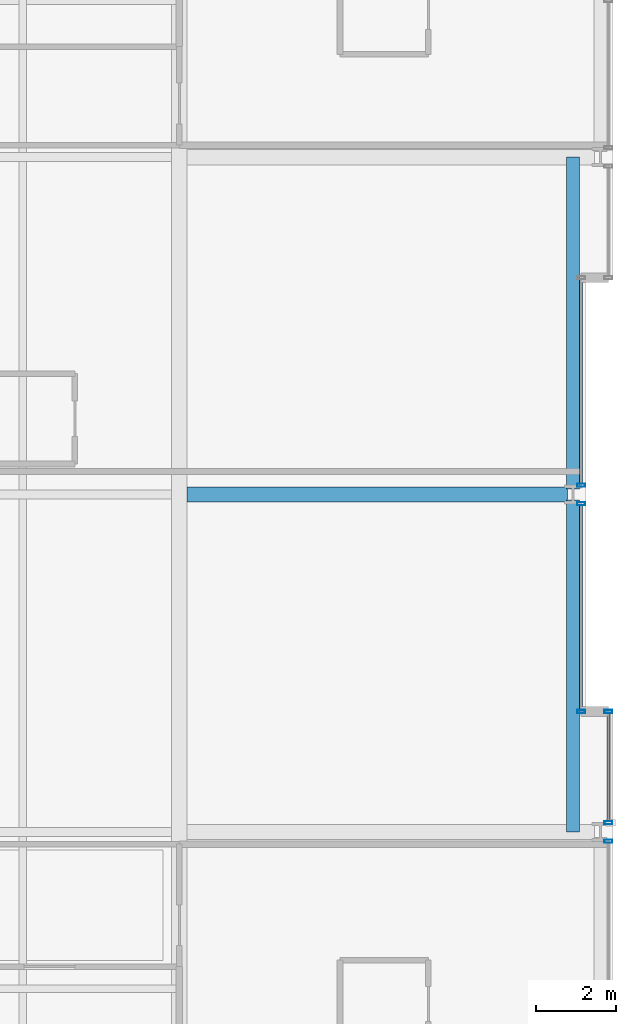
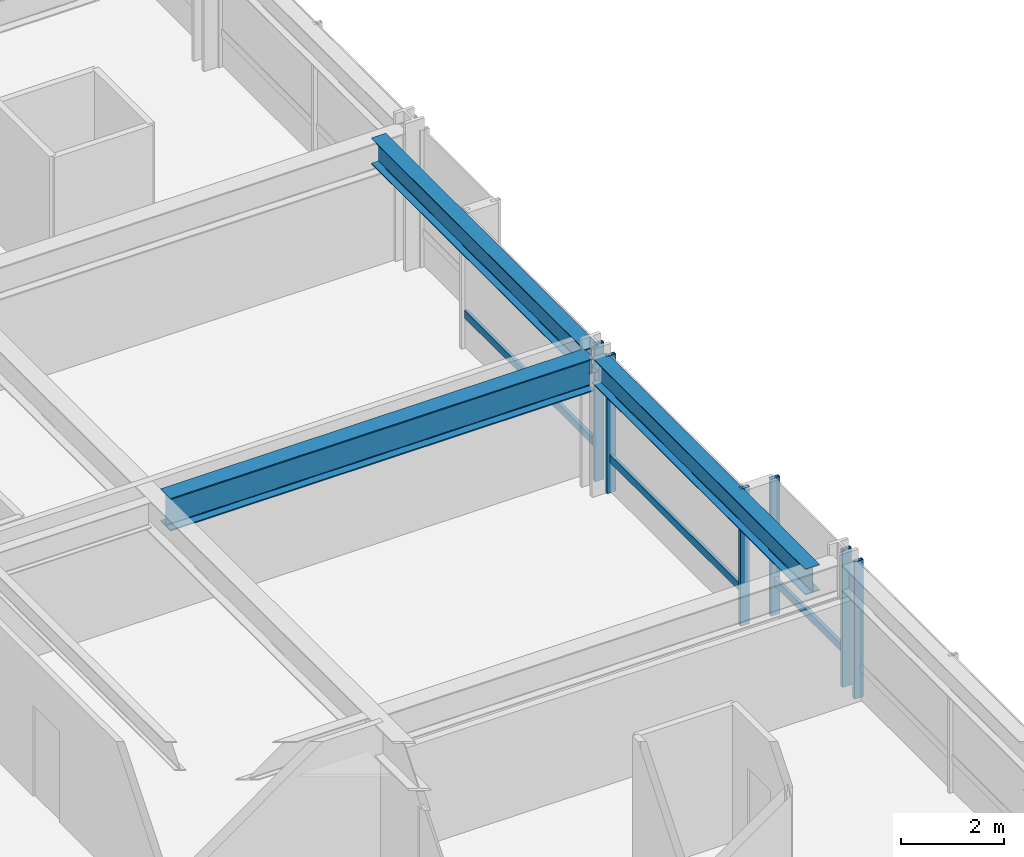
# One storey, part 16 of 37: 9 members, 3 beams, 4 elements without a shape of their own.
"""IFC4 building model written with IfcOpenShell, lengths in metres."""

import ifcopenshell
import ifcopenshell.guid

model = None  # the IFC model being written
_history = None  # IfcOwnerHistory: only IFC2X3 demands one
_inside = {}  # id of a spatial element -> (the spatial element, [elements in it])
_under = {}  # id of a project, library or spatial element -> (it, [spatial elements below it])
_declared = {}  # id of a project -> (the project, [libraries it declares])
_typed = {}  # id of a type object -> (the type object, [elements of that type])
_made_of = {}  # id of a material, layer set ... -> (it, [elements and type objects made of it])


def new_model(schema):
    """Start an empty IFC model of exactly this schema.

    Asked for "IFC4X3", IfcOpenShell would pick the latest addendum, in which some entities
    have other attributes; the version numbers below select the first issue.
    IFC2X3 requires an IfcOwnerHistory on every rooted entity: one is made here for all.
    """
    global model, _history
    if schema == "IFC4X3":
        model = ifcopenshell.file(schema_version=(4, 3, 0, 0))
    else:
        model = ifcopenshell.file(schema=schema)
    _inside.clear()
    _under.clear()
    _declared.clear()
    _typed.clear()
    _made_of.clear()
    _history = None
    if model.schema == "IFC2X3":
        org = make("IfcOrganization", Name="unknown")
        user = make(
            "IfcPersonAndOrganization",
            ThePerson=make("IfcPerson", FamilyName="unknown"),
            TheOrganization=org,
        )
        app = make(
            "IfcApplication",
            ApplicationDeveloper=org,
            Version="unknown",
            ApplicationFullName="unknown",
            ApplicationIdentifier="unknown",
        )
        _history = make(
            "IfcOwnerHistory",
            OwningUser=user,
            OwningApplication=app,
            ChangeAction="ADDED",
            CreationDate=0,
        )
    return model


def make(cls, **values):
    """One entity of the class cls with the attributes given. An attribute that is None is left unset."""
    return model.create_entity(
        cls, **{name: value for name, value in values.items() if value is not None}
    )


def rooted(cls, **values):
    """An entity with a GlobalId (a new one), such as an element, a storey or a relation."""
    return make(cls, GlobalId=ifcopenshell.guid.new(), OwnerHistory=_history, **values)


def si_unit(unit_type, name, prefix=None):
    """IfcSIUnit, for example si_unit("LENGTHUNIT", "METRE", prefix="MILLI")."""
    return make("IfcSIUnit", UnitType=unit_type, Prefix=prefix, Name=name)


def assignment(units):
    """IfcUnitAssignment: the units of a project."""
    return None if units is None else make("IfcUnitAssignment", Units=units)


def point(xyz):
    """IfcCartesianPoint."""
    return None if xyz is None else make("IfcCartesianPoint", Coordinates=xyz)


def direction(xyz):
    """IfcDirection."""
    return None if xyz is None else make("IfcDirection", DirectionRatios=xyz)


def frame(location, z_axis=None, x_axis=None):
    """IfcAxis2Placement3D, a coordinate frame: its origin and axes. An axis left out is left unset."""
    return make(
        "IfcAxis2Placement3D",
        Location=point(location),
        Axis=direction(z_axis),
        RefDirection=direction(x_axis),
    )


def frame_2d(location, x_axis=None):
    """IfcAxis2Placement2D, a coordinate frame in the plane: its origin and x axis."""
    return make(
        "IfcAxis2Placement2D", Location=point(location), RefDirection=direction(x_axis)
    )


def origin():
    """The frame at (0, 0, 0) with its axes left unset."""
    return frame((0.0, 0.0, 0.0))


def origin_2d():
    """The frame at (0, 0) in the plane with its x axis left unset."""
    return frame_2d((0.0, 0.0))


def place(relative_to, where):
    """IfcLocalPlacement: puts the frame where relative to a parent placement (None: the world)."""
    return make(
        "IfcLocalPlacement", PlacementRelTo=relative_to, RelativePlacement=where
    )


def context(
    kind, dimensions, precision=None, world=None, true_north=None, identifier=None
):
    """IfcGeometricRepresentationContext, for example the 3D "Model" context."""
    return make(
        "IfcGeometricRepresentationContext",
        ContextIdentifier=identifier,
        ContextType=kind,
        CoordinateSpaceDimension=dimensions,
        Precision=precision,
        WorldCoordinateSystem=world,
        TrueNorth=true_north,
    )


def subcontext(parent, identifier, kind, view, scale=None):
    """IfcGeometricRepresentationSubContext, for example "Body" below "Model"."""
    return make(
        "IfcGeometricRepresentationSubContext",
        ContextIdentifier=identifier,
        ContextType=kind,
        ParentContext=parent,
        TargetScale=scale,
        TargetView=view,
    )


def project(units=None, contexts=None):
    """IfcProject with its units and contexts."""
    return rooted(
        "IfcProject",
        Name="project",
        RepresentationContexts=contexts,
        UnitsInContext=assignment(units),
    )


def spatial(cls, under=None, at=None, **own):
    """A site, building, storey or space (cls), placed at a placement, below another one or the project."""
    s = rooted(cls, ObjectPlacement=at, **own)
    if under is not None:
        _under.setdefault(under.id(), (under, []))[1].append(s)
    return s


def profile(cls, at=None, kind="AREA", **sizes):
    """A parametric profile (cls). Its sizes go by their IFC names, for example OverallWidth=200.0."""
    return make(cls, ProfileType=kind, Position=at, **sizes)


def hollow_rectangle(**sizes):
    """IfcRectangleHollowProfileDef."""
    return profile("IfcRectangleHollowProfileDef", **sizes)


def i_section(**sizes):
    """IfcIShapeProfileDef."""
    return profile("IfcIShapeProfileDef", **sizes)


def extrude(swept, where, along, depth):
    """IfcExtrudedAreaSolid: the profile swept, set in the frame where, extruded along a direction by depth."""
    return make(
        "IfcExtrudedAreaSolid",
        SweptArea=swept,
        Position=where,
        ExtrudedDirection=direction(along),
        Depth=depth,
    )


def shape(context_of_items, identifier, shape_type, items):
    """IfcShapeRepresentation: the items that make up one representation, for example the "Body"."""
    return make(
        "IfcShapeRepresentation",
        ContextOfItems=context_of_items,
        RepresentationIdentifier=identifier,
        RepresentationType=shape_type,
        Items=items,
    )


def material(Name=None, Category=None):
    """IfcMaterial."""
    return make("IfcMaterial", Name=Name, Category=Category)


def layer(
    of_material, thickness, ventilated=None, Name=None, Category=None, Priority=None
):
    """IfcMaterialLayer: one layer of a wall or slab, of a material (None: an air gap)."""
    return make(
        "IfcMaterialLayer",
        Material=of_material,
        LayerThickness=thickness,
        IsVentilated=ventilated,
        Name=Name,
        Category=Category,
        Priority=Priority,
    )


def layer_set(layers, Name=None):
    """IfcMaterialLayerSet."""
    return make("IfcMaterialLayerSet", MaterialLayers=layers, LayerSetName=Name)


def material_profile(
    of_material, cross_section, Name=None, Category=None, Priority=None
):
    """IfcMaterialProfile: a cross section and its material."""
    return make(
        "IfcMaterialProfile",
        Name=Name,
        Material=of_material,
        Profile=cross_section,
        Priority=Priority,
        Category=Category,
    )


def profile_set(profiles, Name=None, composite=None):
    """IfcMaterialProfileSet."""
    return make(
        "IfcMaterialProfileSet",
        Name=Name,
        MaterialProfiles=profiles,
        CompositeProfile=composite,
    )


def made_of(thing, what):
    """Note that an element or type object is made of a material, layer set ...; save() writes the relation."""
    if what is not None:
        _made_of.setdefault(what.id(), (what, []))[1].append(thing)
    return thing


def type_object(cls, material=None, **own):
    """A type object (cls), such as IfcWallType, which elements share."""
    return made_of(rooted(cls, **own), material)


def element(
    cls,
    number,
    at=None,
    inside=None,
    cuts=None,
    type_object=None,
    material=None,
    context=None,
    identifier="Body",
    shape_type=None,
    held_by="IfcProductDefinitionShape",
    body=None,
    shapes=None,
    **own,
):
    """One element of the class cls, such as IfcWall. Its Tag is "e" and its number.

    at: its placement. inside: the storey or other place that contains it. cuts: it is an
    opening in that element (IfcRelVoidsElement). A single representation is given by context,
    identifier, shape_type and body (its items); several are given by shapes. held_by: the class
    of the entity that holds the representations. save() writes the other relations.
    """
    e = rooted(cls, Tag="e%d" % number, ObjectPlacement=at, **own)
    if body is not None:
        shapes = [shape(context, identifier, shape_type, body)]
    if shapes is not None:
        e.Representation = make(held_by, Representations=shapes)
    if inside is not None:
        _inside.setdefault(inside.id(), (inside, []))[1].append(e)
    if cuts is not None:
        rooted(
            "IfcRelVoidsElement", RelatingBuildingElement=cuts, RelatedOpeningElement=e
        )
    if type_object is not None:
        _typed.setdefault(type_object.id(), (type_object, []))[1].append(e)
    return made_of(e, material)


def aggregate(whole, parts):
    """IfcRelAggregates: a whole, such as a stair, and the parts it consists of."""
    return rooted("IfcRelAggregates", RelatingObject=whole, RelatedObjects=parts)


def save(model, path):
    """Write the relations noted so far, then the file.

    IfcRelAggregates (storeys below a building ...), IfcRelContainedInSpatialStructure (elements
    in a storey), IfcRelDefinesByType, IfcRelAssociatesMaterial and IfcRelDeclares: one each for
    every whole, place, type object, material and project.
    """
    for whole, parts in _under.values():
        aggregate(whole, parts)
    for where, things in _inside.values():
        rooted(
            "IfcRelContainedInSpatialStructure",
            RelatedElements=things,
            RelatingStructure=where,
        )
    for kind, things in _typed.values():
        rooted("IfcRelDefinesByType", RelatedObjects=things, RelatingType=kind)
    for what, things in _made_of.values():
        rooted("IfcRelAssociatesMaterial", RelatedObjects=things, RelatingMaterial=what)
    for by, libraries in _declared.values():
        rooted("IfcRelDeclares", RelatingContext=by, RelatedDefinitions=libraries)
    model.write(path)


model = new_model("IFC4")

# Units and contexts
model_context = context("Model", 3, precision=1e-05, world=origin(), true_north=direction((0.0, 1.0)))
body_context = subcontext(model_context, "Body", "Model", "MODEL_VIEW")
ifc_project = project(units=[si_unit("LENGTHUNIT", "METRE"), si_unit("AREAUNIT", "SQUARE_METRE"), si_unit("VOLUMEUNIT", "CUBIC_METRE"), si_unit("PLANEANGLEUNIT", "RADIAN"), si_unit("MASSUNIT", "GRAM", prefix="KILO")], contexts=[model_context])

# Site, building, storey
site_placement = place(None, origin())
site = spatial("IfcSite", under=ifc_project, at=site_placement, CompositionType="ELEMENT")
building_placement = place(site_placement, origin())
building = spatial("IfcBuilding", under=site, at=building_placement, Name="Drelvath Grand Hotel", CompositionType="ELEMENT")
storey_placement = place(building_placement, frame((0.0, 0.0, 75.199951171875)))
storey = spatial("IfcBuildingStorey", under=building, at=storey_placement, Name="L18", CompositionType="ELEMENT", Elevation=75.199951171875)

# Curtain wall, member
ifc_material_1 = material(Name="Warm Bronze Anodised Aluminium Frame", Category="aluminium")
ifc_layer = layer(ifc_material_1, 0.199951171875)
ifc_layer_set = layer_set([ifc_layer], Name="Warm Bronze Anodised Aluminium Frame")
curtain_wall_type = type_object("IfcCurtainWallType", Name="Stick Curtain Wall CW-02 Warm Bronze Low-Rise", PredefinedType="NOTDEFINED", material=ifc_layer_set)
curtain_wall_1_placement = place(storey_placement, origin())
curtain_wall_1 = element("IfcCurtainWall", 1, at=curtain_wall_1_placement, inside=storey, type_object=curtain_wall_type, Name="L18 CW-02 Curtain Wall CW02-L18-EM1", PredefinedType="NOTDEFINED")
ifc_material_profile_1 = material_profile(ifc_material_1, hollow_rectangle(XDim=0.074951171875, YDim=0.179931640625, WallThickness=0.0048828125, at=origin_2d()), Name="HSS180X75X5")
ifc_profile_set_1 = profile_set([ifc_material_profile_1], Name="Warm Bronze Anodised Aluminium Frame")
member_type_1 = type_object("IfcMemberType", Name="Curtain Wall Horizontal Transom CW-02 HSS180X75X5", PredefinedType="USERDEFINED", material=ifc_profile_set_1)
member_1_placement = place(storey_placement, frame((26.199951171875, 26.73095703125, 0.81005859375), z_axis=(0.0, -1.0, 0.0), x_axis=(1.0, 0.0, 0.0)))
member_1 = element("IfcMember", 2, at=member_1_placement, type_object=member_type_1, Name="CW02-L18-EM1 Sill Transom", ObjectType="TRANSOM", PredefinedType="USERDEFINED", context=body_context, shape_type="SweptSolid", body=[
    extrude(hollow_rectangle(XDim=0.074951171875, YDim=0.179931640625, WallThickness=0.0048828125, at=origin_2d()), origin(), (0.0, 0.0, 1.0), 5.091064453125),
])

curtain_wall_2_placement = place(storey_placement, origin())
curtain_wall_2 = element("IfcCurtainWall", 3, at=curtain_wall_2_placement, inside=storey, type_object=curtain_wall_type, Name="L18 CW-02 Curtain Wall CW02-L18-EM2", PredefinedType="NOTDEFINED")
member_2_placement = place(storey_placement, frame((26.199951171875, 32.360107421875, 0.81005859375), z_axis=(0.0, -1.0, 0.0), x_axis=(1.0, 0.0, 0.0)))
member_2 = element("IfcMember", 4, at=member_2_placement, type_object=member_type_1, Name="CW02-L18-EM2 Sill Transom", ObjectType="TRANSOM", PredefinedType="USERDEFINED", context=body_context, shape_type="SweptSolid", body=[
    extrude(hollow_rectangle(XDim=0.074951171875, YDim=0.179931640625, WallThickness=0.0048828125, at=origin_2d()), origin(), (0.0, 0.0, 1.0), 5.091064453125),
])

curtain_wall_3_placement = place(storey_placement, origin())
curtain_wall_3 = element("IfcCurtainWall", 5, at=curtain_wall_3_placement, inside=storey, type_object=curtain_wall_type, Name="L18 CW-02 Curtain Wall CW02-L18-ES3", PredefinedType="NOTDEFINED")
member_3_placement = place(storey_placement, frame((26.8798828125, 21.56005859375, 0.81005859375), z_axis=(0.0, -1.0, 0.0), x_axis=(1.0, 0.0, 0.0)))
member_3 = element("IfcMember", 6, at=member_3_placement, type_object=member_type_1, Name="CW02-L18-ES3 Sill Transom", ObjectType="TRANSOM", PredefinedType="USERDEFINED", context=body_context, shape_type="SweptSolid", body=[
    extrude(hollow_rectangle(XDim=0.074951171875, YDim=0.179931640625, WallThickness=0.0048828125, at=origin_2d()), origin(), (0.0, 0.0, 1.0), 2.69091796875),
])

# Member
ifc_material_profile_2 = material_profile(ifc_material_1, hollow_rectangle(XDim=0.080078125, YDim=0.199951171875, WallThickness=0.0048828125, at=origin_2d()), Name="HSS200X80X5")
ifc_profile_set_2 = profile_set([ifc_material_profile_2], Name="Warm Bronze Anodised Aluminium Frame")
member_type_2 = type_object("IfcMemberType", Name="Curtain Wall Vertical Mullion CW-02 HSS200X80X5", PredefinedType="MULLION", material=ifc_profile_set_2)
member_4_placement = place(storey_placement, frame((26.199951171875, 26.77099609375, 0.0), z_axis=(0.0, 0.0, 1.0), x_axis=(0.0, 1.0, 0.0)))
member_4 = element("IfcMember", 7, at=member_4_placement, type_object=member_type_2, Name="CW02-L18-EM1 Mullion 1", PredefinedType="MULLION", context=body_context, shape_type="SweptSolid", body=[
    extrude(hollow_rectangle(XDim=0.080078125, YDim=0.199951171875, WallThickness=0.0048828125, at=origin_2d()), origin(), (0.0, 0.0, 1.0), 3.239990234375),
])

member_5_placement = place(storey_placement, frame((26.199951171875, 21.60009765625, 0.0), z_axis=(0.0, 0.0, 1.0), x_axis=(0.0, 1.0, 0.0)))
member_5 = element("IfcMember", 8, at=member_5_placement, type_object=member_type_2, Name="CW02-L18-EM1 Mullion 2", PredefinedType="MULLION", context=body_context, shape_type="SweptSolid", body=[
    extrude(hollow_rectangle(XDim=0.080078125, YDim=0.199951171875, WallThickness=0.0048828125, at=origin_2d()), origin(), (0.0, 0.0, 1.0), 3.239990234375),
])

aggregate(curtain_wall_1, [member_4, member_5, member_1])

member_6_placement = place(storey_placement, frame((26.199951171875, 27.22900390625, 0.0), z_axis=(0.0, 0.0, 1.0), x_axis=(0.0, 1.0, 0.0)))
member_6 = element("IfcMember", 9, at=member_6_placement, type_object=member_type_2, Name="CW02-L18-EM2 Mullion 2", PredefinedType="MULLION", context=body_context, shape_type="SweptSolid", body=[
    extrude(hollow_rectangle(XDim=0.080078125, YDim=0.199951171875, WallThickness=0.0048828125, at=origin_2d()), origin(), (0.0, 0.0, 1.0), 3.239990234375),
])

aggregate(curtain_wall_2, [member_6, member_2])

# Curtain wall, member
curtain_wall_4_placement = place(storey_placement, origin())
curtain_wall_4 = element("IfcCurtainWall", 10, at=curtain_wall_4_placement, inside=storey, type_object=curtain_wall_type, Name="L18 CW-02 Curtain Wall CW02-L18-ES2", PredefinedType="NOTDEFINED")
member_7_placement = place(storey_placement, frame((26.8798828125, 18.370849609375, 0.0), z_axis=(0.0, 0.0, 1.0), x_axis=(0.0, 1.0, 0.0)))
member_7 = element("IfcMember", 11, at=member_7_placement, type_object=member_type_2, Name="CW02-L18-ES2 Mullion 1", PredefinedType="MULLION", context=body_context, shape_type="SweptSolid", body=[
    extrude(hollow_rectangle(XDim=0.080078125, YDim=0.199951171875, WallThickness=0.0048828125, at=origin_2d()), origin(), (0.0, 0.0, 1.0), 3.239990234375),
])
aggregate(curtain_wall_4, [member_7])

# Member
member_8_placement = place(storey_placement, frame((26.8798828125, 21.60009765625, 0.0), z_axis=(0.0, 0.0, 1.0), x_axis=(0.0, 1.0, 0.0)))
member_8 = element("IfcMember", 12, at=member_8_placement, type_object=member_type_2, Name="CW02-L18-ES3 Mullion 1", PredefinedType="MULLION", context=body_context, shape_type="SweptSolid", body=[
    extrude(hollow_rectangle(XDim=0.080078125, YDim=0.199951171875, WallThickness=0.0048828125, at=origin_2d()), origin(), (0.0, 0.0, 1.0), 3.239990234375),
])

member_9_placement = place(storey_placement, frame((26.8798828125, 18.8291015625, 0.0), z_axis=(0.0, 0.0, 1.0), x_axis=(0.0, 1.0, 0.0)))
member_9 = element("IfcMember", 13, at=member_9_placement, type_object=member_type_2, Name="CW02-L18-ES3 Mullion 2", PredefinedType="MULLION", context=body_context, shape_type="SweptSolid", body=[
    extrude(hollow_rectangle(XDim=0.080078125, YDim=0.199951171875, WallThickness=0.0048828125, at=origin_2d()), origin(), (0.0, 0.0, 1.0), 3.239990234375),
])

aggregate(curtain_wall_3, [member_8, member_9, member_3])

# Beams
ifc_material_2 = material(Name="Steel ASTM A992 Gr 50", Category="steel")
ifc_material_profile_3 = material_profile(ifc_material_2, i_section(OverallWidth=0.323974609375, OverallDepth=0.611083984375, WebThickness=0.0126953125, FlangeThickness=0.01904296875, FilletRadius=0.02197265625, at=origin_2d()), Name="W24X104")
ifc_profile_set_3 = profile_set([ifc_material_profile_3], Name="Steel ASTM A992 Gr 50")
beam_type_1 = type_object("IfcBeamType", Name="Perimeter Spandrel Beam W24X104", PredefinedType="SPANDREL", material=ifc_profile_set_3)
for number, where, z_axis, x_axis, name in (
    (14, (26.0, 18.60009765625, 2.9345703125), (0.0, 1.0, 0.0), (-1.0, 0.0, 0.0), "L18 Spandrel East Mid S"),
    (15, (26.0, 27.139892578125, 2.9345703125), (0.0, 1.0, 0.0), (-1.0, 0.0, 0.0), "L18 Spandrel East Mid N"),
):
    element("IfcBeam", number, at=place(storey_placement, frame(where, z_axis=z_axis, x_axis=x_axis)), inside=storey, type_object=beam_type_1, Name=name, PredefinedType="SPANDREL", context=body_context, shape_type="SweptSolid", body=[
        extrude(i_section(OverallWidth=0.323974609375, OverallDepth=0.611083984375, WebThickness=0.0126953125, FlangeThickness=0.01904296875, FilletRadius=0.02197265625, at=origin_2d()), origin(), (0.0, 0.0, 1.0), 8.260009765625),
    ])
ifc_material_profile_4 = material_profile(ifc_material_2, i_section(OverallWidth=0.380615234375, OverallDepth=0.773193359375, WebThickness=0.0166015625, FlangeThickness=0.027099609375, FilletRadius=0.02490234375, at=origin_2d()), Name="W30X173")
ifc_profile_set_4 = profile_set([ifc_material_profile_4], Name="Steel ASTM A992 Gr 50")
beam_type_2 = type_object("IfcBeamType", Name="Primary Floor Girder W30X173", PredefinedType="BEAM", material=ifc_profile_set_4)
beam_placement = place(storey_placement, frame((16.390380859375, 27.0, 2.853515625), z_axis=(1.0, 0.0, 0.0), x_axis=(0.0, 1.0, 0.0)))
element("IfcBeam", 16, at=beam_placement, inside=storey, type_object=beam_type_2, Name="L18 East Wing Girder E", PredefinedType="BEAM", context=body_context, shape_type="SweptSolid", body=[
    extrude(i_section(OverallWidth=0.380615234375, OverallDepth=0.773193359375, WebThickness=0.0166015625, FlangeThickness=0.027099609375, FilletRadius=0.02490234375, at=origin_2d()), origin(), (0.0, 0.0, 1.0), 9.4697265625),
])

save(model, "model.ifc")
